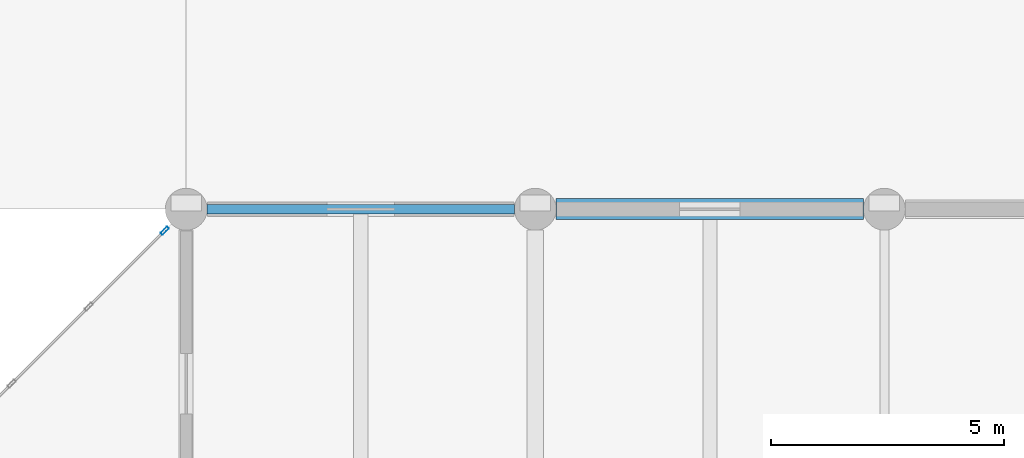
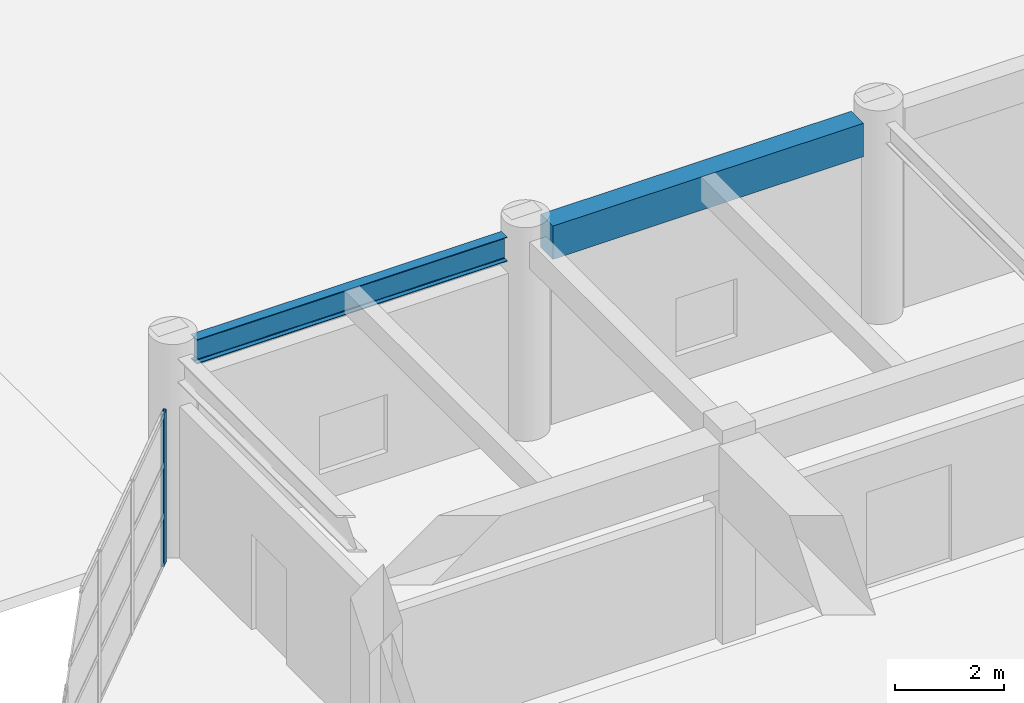
# One storey, part 60 of 122: 2 beams, 1 member, 1 element without a shape of its own.
"""IFC4 building model written with IfcOpenShell, lengths in metres."""

from ifc_helpers import new_model, si_unit, direction, frame, origin, origin_2d, place, context, subcontext, project, spatial, rectangle, hollow_rectangle, i_section, extrude, material, material_profile, profile_set, type_object, element, aggregate, save


model = new_model("IFC4")

# Units and contexts
model_context = context("Model", 3, precision=1e-05, world=origin(), true_north=direction((0.0, 1.0)))
body_context = subcontext(model_context, "Body", "Model", "MODEL_VIEW")
ifc_project = project(units=[si_unit("LENGTHUNIT", "METRE"), si_unit("AREAUNIT", "SQUARE_METRE"), si_unit("VOLUMEUNIT", "CUBIC_METRE"), si_unit("PLANEANGLEUNIT", "RADIAN"), si_unit("MASSUNIT", "GRAM", prefix="KILO")], contexts=[model_context])

# Site, building, storey
site_placement = place(None, origin())
site = spatial("IfcSite", under=ifc_project, at=site_placement, CompositionType="ELEMENT")
building_placement = place(site_placement, origin())
building = spatial("IfcBuilding", under=site, at=building_placement, Name="Qasida Concert Hall", CompositionType="ELEMENT")
storey_placement = place(building_placement, origin())
storey = spatial("IfcBuildingStorey", under=building, at=storey_placement, Name="L00", CompositionType="ELEMENT", Elevation=0.0)

# Beams
ifc_material_1 = material(Name="Steel S355J2", Category="steel")
ifc_material_profile_1 = material_profile(ifc_material_1, i_section(OverallWidth=0.2099609375, OverallDepth=0.550048828125, WebThickness=0.010986328125, FlangeThickness=0.01708984375, FilletRadius=0.02392578125, at=origin_2d()), Name="IPE 550")
ifc_profile_set_1 = profile_set([ifc_material_profile_1], Name="Steel S355J2")
beam_type_1 = type_object("IfcBeamType", Name="BM-SP2", PredefinedType="SPANDREL", material=ifc_profile_set_1)
beam_1_placement = place(storey_placement, frame((135.449951171875, 30.0, 4.22509765625), z_axis=(1.0, 0.0, 0.0), x_axis=(0.0, 1.0, 0.0)))
element("IfcBeam", 1, at=beam_1_placement, inside=storey, type_object=beam_type_1, Name="Primary girder 0479", PredefinedType="SPANDREL", context=body_context, shape_type="SweptSolid", body=[
    extrude(i_section(OverallWidth=0.2099609375, OverallDepth=0.550048828125, WebThickness=0.010986328125, FlangeThickness=0.01708984375, FilletRadius=0.02392578125, at=origin_2d()), origin(), (0.0, 0.0, 1.0), 6.60009765625),
])
ifc_material_2 = material(Name="Concrete C40/50", Category="concrete")
ifc_material_profile_2 = material_profile(ifc_material_2, rectangle(XDim=0.449951171875, YDim=0.75, at=origin_2d()), Name="RC 450x750")
ifc_profile_set_2 = profile_set([ifc_material_profile_2], Name="Concrete C40/50")
beam_type_2 = type_object("IfcBeamType", Name="BM-SP4", PredefinedType="SPANDREL", material=ifc_profile_set_2)
beam_2_placement = place(storey_placement, frame((142.949951171875, 30.0, 4.125), z_axis=(1.0, 0.0, 0.0), x_axis=(0.0, 1.0, 0.0)))
element("IfcBeam", 2, at=beam_2_placement, inside=storey, type_object=beam_type_2, Name="Primary girder 0480", PredefinedType="SPANDREL", context=body_context, shape_type="SweptSolid", body=[
    extrude(rectangle(XDim=0.449951171875, YDim=0.75, at=origin_2d()), origin(), (0.0, 0.0, 1.0), 6.60009765625),
])

# Curtain wall, member
ifc_material_3 = material(Name="Architectural bronze-anodized aluminium and low-E glass", Category="aluminium")
curtain_wall_type = type_object("IfcCurtainWallType", Name="CW-07", PredefinedType="NOTDEFINED", material=ifc_material_3)
curtain_wall_placement = place(storey_placement, origin())
curtain_wall = element("IfcCurtainWall", 3, at=curtain_wall_placement, inside=storey, type_object=curtain_wall_type, Name="L00 curtain wall CW-07 0141", PredefinedType="NOTDEFINED")
ifc_material_4 = material(Name="Architectural bronze-anodized aluminium EN AW-6063", Category="aluminium")
ifc_material_profile_3 = material_profile(ifc_material_4, hollow_rectangle(XDim=0.06494140625, YDim=0.199951171875, WallThickness=0.0048828125, InnerFilletRadius=0.0048828125, OuterFilletRadius=0.010009765625, at=origin_2d()), Name="CWM 200x65x5")
ifc_profile_set_3 = profile_set([ifc_material_profile_3], Name="Architectural bronze-anodized aluminium EN AW-6063")
member_type = type_object("IfcMemberType", Name="MB-CWM-2", PredefinedType="MULLION", material=ifc_profile_set_3)
member_placement = place(storey_placement, frame((134.53857421875, 29.53857421875, 0.0), z_axis=(0.0, 0.0, 1.0), x_axis=(0.707106781187, -0.707106781187, 0.0)))
member = element("IfcMember", 4, at=member_placement, type_object=member_type, Name="CW-07 mullion 1", PredefinedType="MULLION", context=body_context, shape_type="SweptSolid", body=[
    extrude(hollow_rectangle(XDim=0.06494140625, YDim=0.199951171875, WallThickness=0.0048828125, InnerFilletRadius=0.0048828125, OuterFilletRadius=0.010009765625, at=origin_2d()), origin(), (0.0, 0.0, 1.0), 3.419921875),
])
aggregate(curtain_wall, [member])

save(model, "model.ifc")
